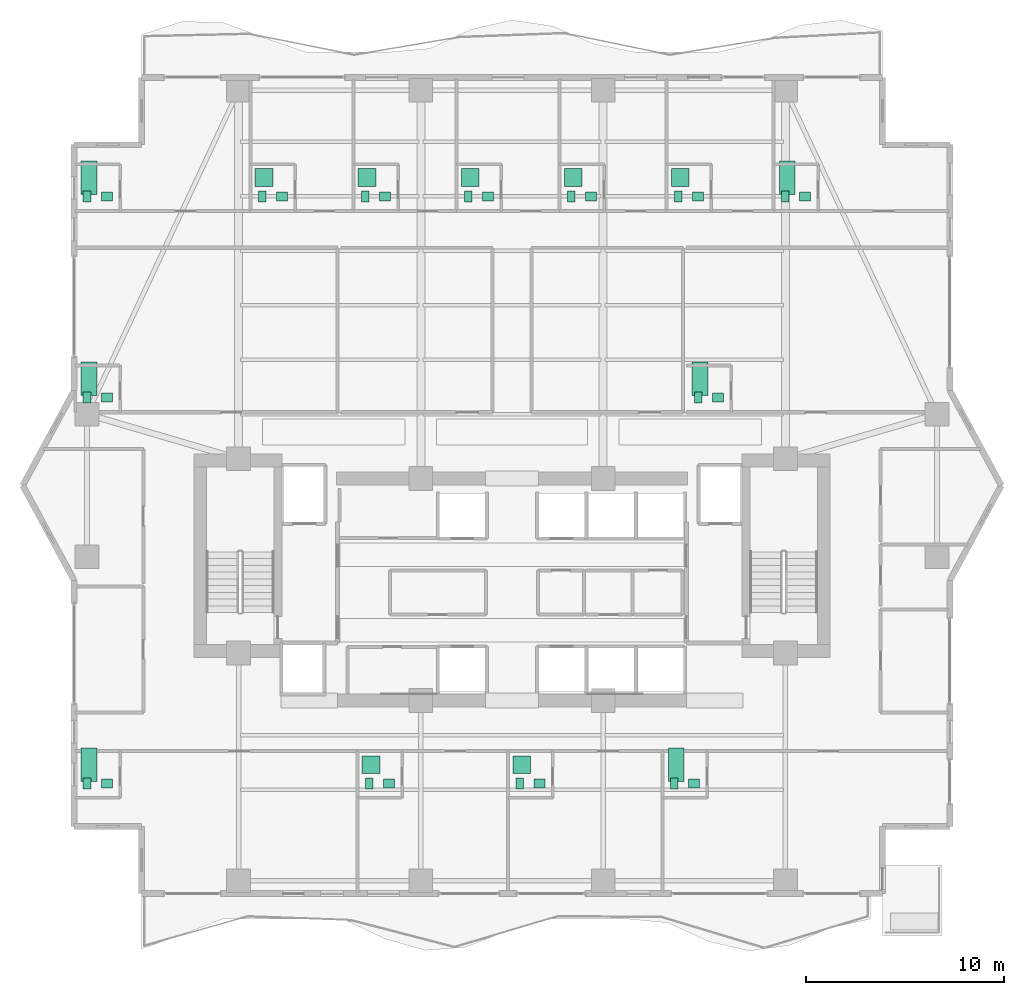
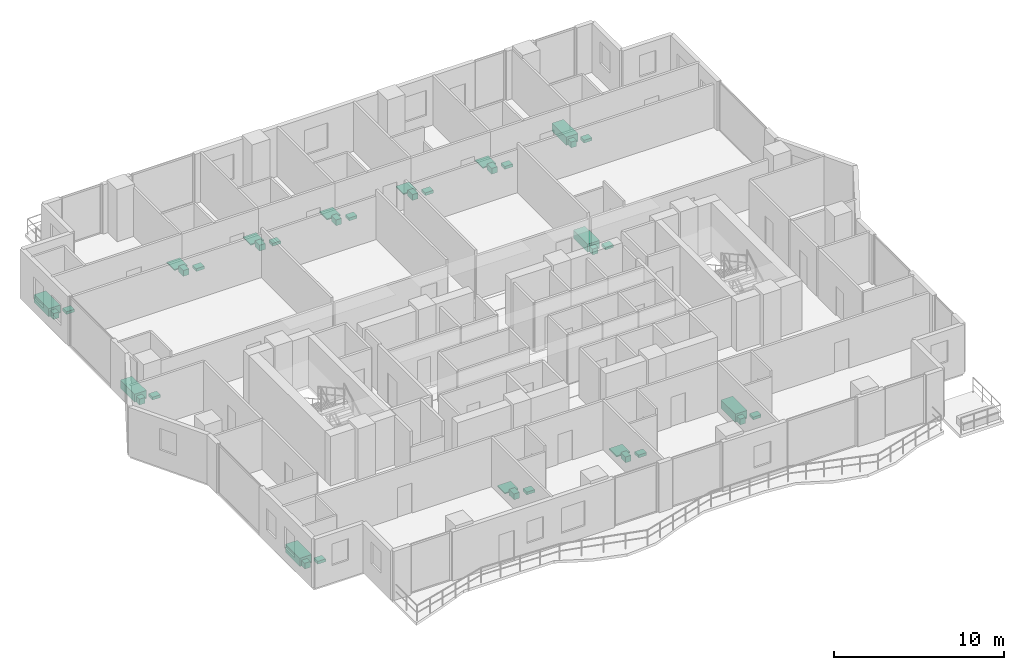
# One storey, part 33 of 33: 39 sanitary terminals.
"""IFC4 building model written with IfcOpenShell, lengths in metres."""

from ifc_helpers import new_model, si_unit, direction, frame, origin, origin_2d, place, context, subcontext, project, spatial, rectangle, extrude, material, type_object, element, save


model = new_model("IFC4")

# Units and contexts
model_context = context("Model", 3, precision=1e-05, world=origin(), true_north=direction((0.0, 1.0)))
body_context = subcontext(model_context, "Body", "Model", "MODEL_VIEW")
ifc_project = project(units=[si_unit("LENGTHUNIT", "METRE"), si_unit("AREAUNIT", "SQUARE_METRE"), si_unit("VOLUMEUNIT", "CUBIC_METRE"), si_unit("PLANEANGLEUNIT", "RADIAN"), si_unit("MASSUNIT", "GRAM", prefix="KILO")], contexts=[model_context])

# Site, building, storey
site_placement = place(None, origin())
site = spatial("IfcSite", under=ifc_project, at=site_placement, CompositionType="ELEMENT")
building_placement = place(site_placement, origin())
building = spatial("IfcBuilding", under=site, at=building_placement, Name="Zuhayl Quay Hotel", CompositionType="ELEMENT")
storey_placement = place(building_placement, frame((0.0, 0.0, 207.39990234375)))
storey = spatial("IfcBuildingStorey", under=building, at=storey_placement, Name="L52", CompositionType="ELEMENT", Elevation=207.39990234375)

# Sanitary terminals
ifc_material = material(Name="Vitreous Porcelain Sanitaryware")
sanitary_terminal_type_1 = type_object("IfcSanitaryTerminalType", Name="SAN_BASIN", PredefinedType="WASHHANDBASIN", material=ifc_material)
for number, where, z_axis, x_axis, name in (
    (1, (-20.449951171875, 27.590087890625, 0.0), (0.0, 0.0, 1.0), (1.0, 0.0, 0.0), "L52 Sanitary Fixture WASHHANDBASIN"),
    (2, (-11.610107421875, 27.590087890625, 0.0), (0.0, 0.0, 1.0), (1.0, 0.0, 0.0), "L52 Sanitary Fixture WASHHANDBASIN"),
    (3, (-6.409912109375, 27.590087890625, 0.0), (0.0, 0.0, 1.0), (1.0, 0.0, 0.0), "L52 Sanitary Fixture WASHHANDBASIN"),
    (4, (-1.2099609375, 27.590087890625, 0.0), (0.0, 0.0, 1.0), (1.0, 0.0, 0.0), "L52 Sanitary Fixture WASHHANDBASIN"),
    (5, (3.989990234375, 27.590087890625, 0.0), (0.0, 0.0, 1.0), (1.0, 0.0, 0.0), "L52 Sanitary Fixture WASHHANDBASIN"),
    (6, (9.389892578125, 27.590087890625, 0.0), (0.0, 0.0, 1.0), (1.0, 0.0, 0.0), "L52 Sanitary Fixture WASHHANDBASIN"),
    (7, (14.7900390625, 27.590087890625, 0.0), (0.0, 0.0, 1.0), (1.0, 0.0, 0.0), "L52 Sanitary Fixture WASHHANDBASIN"),
    (8, (-20.449951171875, 17.43994140625, 0.0), (0.0, 0.0, 1.0), (1.0, 0.0, 0.0), "L52 Sanitary Fixture WASHHANDBASIN"),
    (9, (10.389892578125, 17.43994140625, 0.0), (0.0, 0.0, 1.0), (1.0, 0.0, 0.0), "L52 Sanitary Fixture WASHHANDBASIN"),
    (10, (-20.449951171875, -2.0400390625, 0.0), (0.0, 0.0, 1.0), (1.0, 0.0, 0.0), "L52 Sanitary Fixture WASHHANDBASIN"),
    (11, (-6.2099609375, -2.0400390625, 0.0), (0.0, 0.0, 1.0), (1.0, 0.0, 0.0), "L52 Sanitary Fixture WASHHANDBASIN"),
    (12, (1.389892578125, -2.0400390625, 0.0), (0.0, 0.0, 1.0), (1.0, 0.0, 0.0), "L52 Sanitary Fixture WASHHANDBASIN"),
    (13, (9.18994140625, -2.0400390625, 0.0), (0.0, 0.0, 1.0), (1.0, 0.0, 0.0), "L52 Sanitary Fixture WASHHANDBASIN"),
):
    element("IfcSanitaryTerminal", number, at=place(storey_placement, frame(where, z_axis=z_axis, x_axis=x_axis)), inside=storey, type_object=sanitary_terminal_type_1, Name=name, PredefinedType="WASHHANDBASIN", context=body_context, shape_type="SweptSolid", body=[
        extrude(rectangle(XDim=0.550048828125, YDim=0.449951171875, at=origin_2d()), origin(), (0.0, 0.0, 1.0), 0.199951171875),
    ])
sanitary_terminal_type_2 = type_object("IfcSanitaryTerminalType", Name="SAN_BATH", PredefinedType="BATH", material=ifc_material)
for number, where, z_axis, x_axis, name in (
    (14, (-21.35009765625, 28.5400390625, 0.0), (0.0, 0.0, 1.0), (1.0, 0.0, 0.0), "L52 Sanitary Fixture BATH"),
    (15, (13.889892578125, 28.5400390625, 0.0), (0.0, 0.0, 1.0), (1.0, 0.0, 0.0), "L52 Sanitary Fixture BATH"),
    (16, (-21.35009765625, 18.389892578125, 0.0), (0.0, 0.0, 1.0), (1.0, 0.0, 0.0), "L52 Sanitary Fixture BATH"),
    (17, (9.489990234375, 18.389892578125, 0.0), (0.0, 0.0, 1.0), (1.0, 0.0, 0.0), "L52 Sanitary Fixture BATH"),
    (18, (-21.35009765625, -1.090087890625, 0.0), (0.0, 0.0, 1.0), (1.0, 0.0, 0.0), "L52 Sanitary Fixture BATH"),
    (19, (8.2900390625, -1.090087890625, 0.0), (0.0, 0.0, 1.0), (1.0, 0.0, 0.0), "L52 Sanitary Fixture BATH"),
):
    element("IfcSanitaryTerminal", number, at=place(storey_placement, frame(where, z_axis=z_axis, x_axis=x_axis)), inside=storey, type_object=sanitary_terminal_type_2, Name=name, PredefinedType="BATH", context=body_context, shape_type="SweptSolid", body=[
        extrude(rectangle(XDim=0.800048828125, YDim=1.699951171875, at=origin_2d()), origin(), (0.0, 0.0, 1.0), 0.580078125),
    ])
sanitary_terminal_type_3 = type_object("IfcSanitaryTerminalType", Name="SAN_SHOWER", PredefinedType="SHOWER", material=ifc_material)
for number, where, z_axis, x_axis, name in (
    (20, (-12.510009765625, 28.5400390625, 0.0), (0.0, 0.0, 1.0), (1.0, 0.0, 0.0), "L52 Sanitary Fixture SHOWER"),
    (21, (-7.31005859375, 28.5400390625, 0.0), (0.0, 0.0, 1.0), (1.0, 0.0, 0.0), "L52 Sanitary Fixture SHOWER"),
    (22, (-2.110107421875, 28.5400390625, 0.0), (0.0, 0.0, 1.0), (1.0, 0.0, 0.0), "L52 Sanitary Fixture SHOWER"),
    (23, (3.090087890625, 28.5400390625, 0.0), (0.0, 0.0, 1.0), (1.0, 0.0, 0.0), "L52 Sanitary Fixture SHOWER"),
    (24, (8.489990234375, 28.5400390625, 0.0), (0.0, 0.0, 1.0), (1.0, 0.0, 0.0), "L52 Sanitary Fixture SHOWER"),
    (25, (-7.110107421875, -1.090087890625, 0.0), (0.0, 0.0, 1.0), (1.0, 0.0, 0.0), "L52 Sanitary Fixture SHOWER"),
    (26, (0.489990234375, -1.090087890625, 0.0), (0.0, 0.0, 1.0), (1.0, 0.0, 0.0), "L52 Sanitary Fixture SHOWER"),
):
    element("IfcSanitaryTerminal", number, at=place(storey_placement, frame(where, z_axis=z_axis, x_axis=x_axis)), inside=storey, type_object=sanitary_terminal_type_3, Name=name, PredefinedType="SHOWER", context=body_context, shape_type="SweptSolid", body=[
        extrude(rectangle(XDim=0.89990234375, YDim=0.89990234375, at=origin_2d()), origin(), (0.0, 0.0, 1.0), 0.080078125),
    ])
sanitary_terminal_type_4 = type_object("IfcSanitaryTerminalType", Name="SAN_WC", PredefinedType="TOILETPAN", material=ifc_material)
for number, where, z_axis, x_axis, name in (
    (27, (-21.449951171875, 27.590087890625, 0.000244140625), (0.0, 0.0, 1.0), (1.0, 0.0, 0.0), "L52 Sanitary Fixture TOILETPAN"),
    (28, (-12.610107421875, 27.590087890625, 0.000244140625), (0.0, 0.0, 1.0), (1.0, 0.0, 0.0), "L52 Sanitary Fixture TOILETPAN"),
    (29, (-7.409912109375, 27.590087890625, 0.000244140625), (0.0, 0.0, 1.0), (1.0, 0.0, 0.0), "L52 Sanitary Fixture TOILETPAN"),
    (30, (-2.2099609375, 27.590087890625, 0.000244140625), (0.0, 0.0, 1.0), (1.0, 0.0, 0.0), "L52 Sanitary Fixture TOILETPAN"),
    (31, (2.989990234375, 27.590087890625, 0.000244140625), (0.0, 0.0, 1.0), (1.0, 0.0, 0.0), "L52 Sanitary Fixture TOILETPAN"),
    (32, (8.389892578125, 27.590087890625, 0.000244140625), (0.0, 0.0, 1.0), (1.0, 0.0, 0.0), "L52 Sanitary Fixture TOILETPAN"),
    (33, (13.7900390625, 27.590087890625, 0.000244140625), (0.0, 0.0, 1.0), (1.0, 0.0, 0.0), "L52 Sanitary Fixture TOILETPAN"),
    (34, (-21.449951171875, 17.43994140625, 0.000244140625), (0.0, 0.0, 1.0), (1.0, 0.0, 0.0), "L52 Sanitary Fixture TOILETPAN"),
    (35, (9.389892578125, 17.43994140625, 0.000244140625), (0.0, 0.0, 1.0), (1.0, 0.0, 0.0), "L52 Sanitary Fixture TOILETPAN"),
    (36, (-21.449951171875, -2.0400390625, 0.000244140625), (0.0, 0.0, 1.0), (1.0, 0.0, 0.0), "L52 Sanitary Fixture TOILETPAN"),
    (37, (-7.2099609375, -2.0400390625, 0.000244140625), (0.0, 0.0, 1.0), (1.0, 0.0, 0.0), "L52 Sanitary Fixture TOILETPAN"),
    (38, (0.389892578125, -2.0400390625, 0.000244140625), (0.0, 0.0, 1.0), (1.0, 0.0, 0.0), "L52 Sanitary Fixture TOILETPAN"),
    (39, (8.18994140625, -2.0400390625, 0.000244140625), (0.0, 0.0, 1.0), (1.0, 0.0, 0.0), "L52 Sanitary Fixture TOILETPAN"),
):
    element("IfcSanitaryTerminal", number, at=place(storey_placement, frame(where, z_axis=z_axis, x_axis=x_axis)), inside=storey, type_object=sanitary_terminal_type_4, Name=name, PredefinedType="TOILETPAN", context=body_context, shape_type="SweptSolid", body=[
        extrude(rectangle(XDim=0.3798828125, YDim=0.56005859375, at=origin_2d()), origin(), (0.0, 0.0, 1.0), 0.419921875),
    ])

save(model, "model.ifc")
